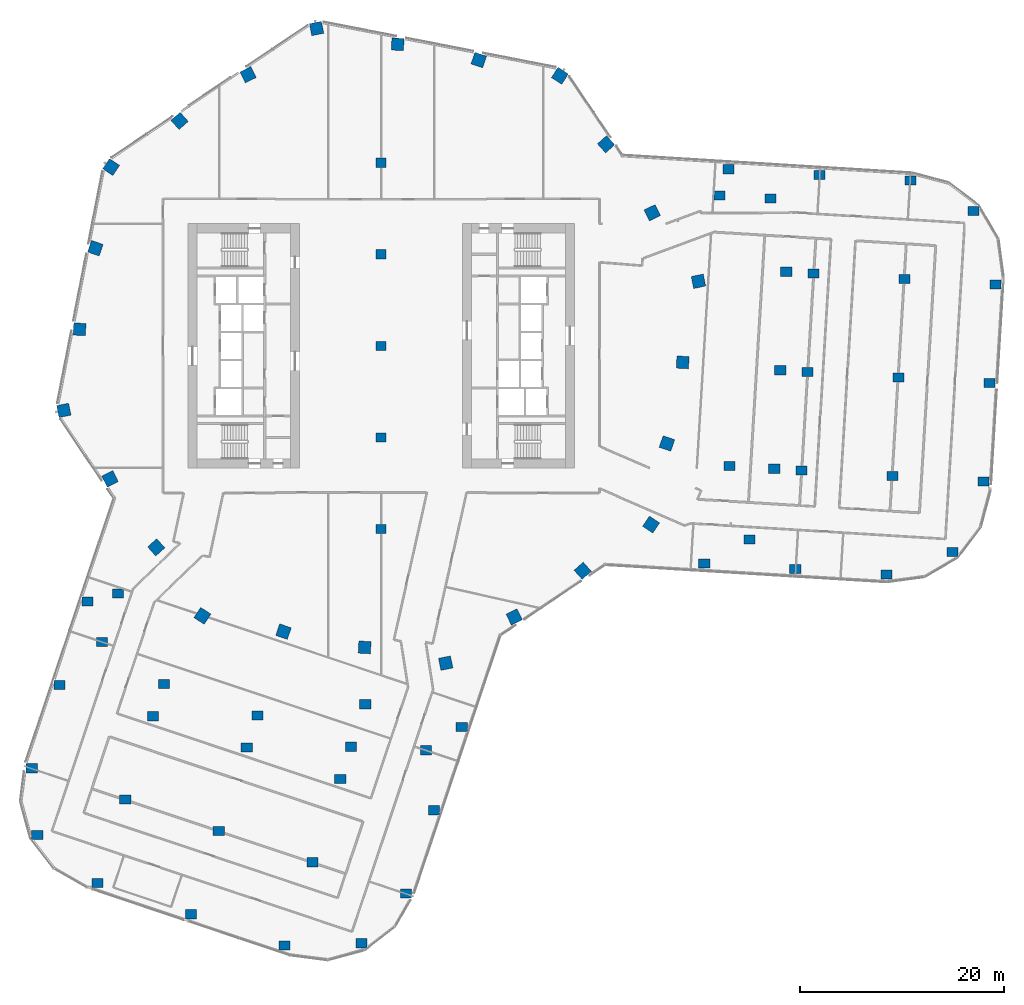
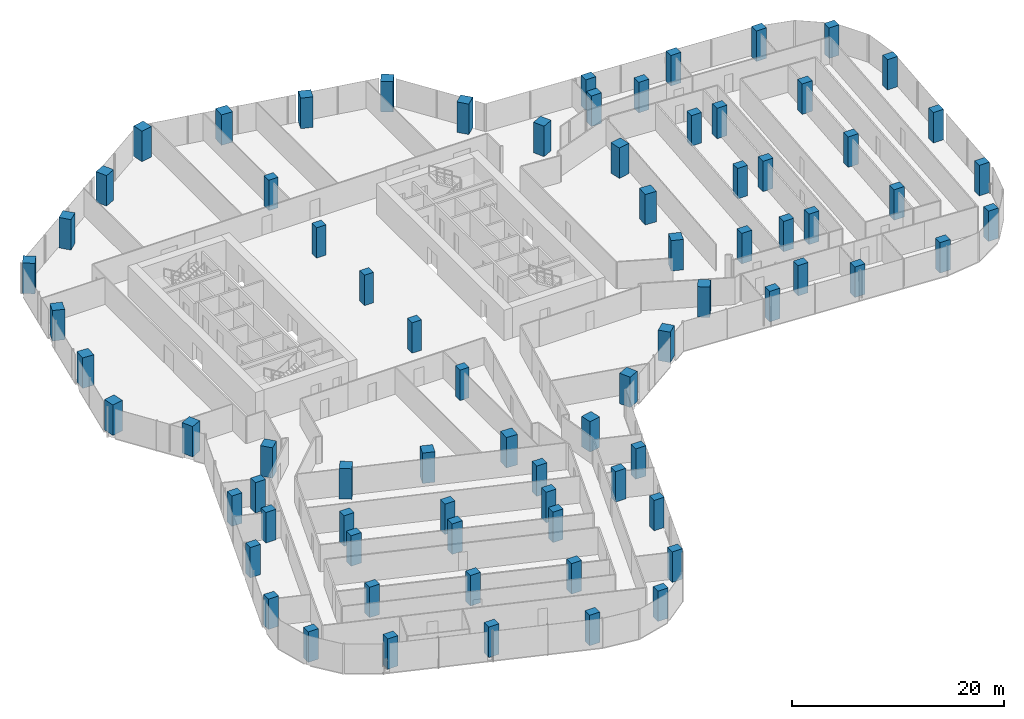
# One storey, part 1 of 32: 77 columns.
"""IFC4 building model written with IfcOpenShell, lengths in metres."""

from ifc_helpers import new_model, si_unit, direction, frame, origin, origin_2d, place, context, subcontext, project, spatial, rectangle, extrude, material, material_profile, profile_set, type_object, element, save


model = new_model("IFC4")

# Units and contexts
model_context = context("Model", 3, precision=1e-05, world=origin(), true_north=direction((0.0, 1.0)))
body_context = subcontext(model_context, "Body", "Model", "MODEL_VIEW")
ifc_project = project(units=[si_unit("LENGTHUNIT", "METRE"), si_unit("AREAUNIT", "SQUARE_METRE"), si_unit("VOLUMEUNIT", "CUBIC_METRE"), si_unit("PLANEANGLEUNIT", "RADIAN"), si_unit("MASSUNIT", "GRAM", prefix="KILO")], contexts=[model_context])

# Site, building, storey
site_placement = place(None, origin())
site = spatial("IfcSite", under=ifc_project, at=site_placement, CompositionType="ELEMENT")
building_placement = place(site_placement, origin())
building = spatial("IfcBuilding", under=site, at=building_placement, Name="Orlundy Tower", CompositionType="ELEMENT")
storey_placement = place(building_placement, frame((0.0, 0.0, 149.10009765625)))
storey = spatial("IfcBuildingStorey", under=building, at=storey_placement, Name="L38", CompositionType="ELEMENT", Elevation=149.10009765625)

# Columns
ifc_material_1 = material(Name="Concrete C70/85", Category="concrete")
ifc_material_profile_1 = material_profile(ifc_material_1, rectangle(XDim=1.0, YDim=0.89990234375, at=origin_2d()), Name="RC1000X900")
ifc_profile_set_1 = profile_set([ifc_material_profile_1], Name="Concrete C70/85")
column_type_1 = type_object("IfcColumnType", Name="RC COLUMN RC1000X900 C70/85", PredefinedType="COLUMN", material=ifc_profile_set_1)
for number, where, z_axis, x_axis, name in (
    (1, (0.0, -18.0, 0.0), (0.0, 0.0, 1.0), (1.0, 0.0, 0.0), "Column C-M1 L38"),
    (2, (0.0, -9.0, 0.0), (0.0, 0.0, 1.0), (1.0, 0.0, 0.0), "Column C-M2 L38"),
    (3, (0.0, 0.0, 0.0), (0.0, 0.0, 1.0), (1.0, 0.0, 0.0), "Column C-M3 L38"),
    (4, (0.0, 9.0, 0.0), (0.0, 0.0, 1.0), (1.0, 0.0, 0.0), "Column C-M4 L38"),
    (5, (0.0, 18.0, 0.0), (0.0, 0.0, 1.0), (1.0, 0.0, 0.0), "Column C-M5 L38"),
):
    element("IfcColumn", number, at=place(storey_placement, frame(where, z_axis=z_axis, x_axis=x_axis)), inside=storey, type_object=column_type_1, Name=name, PredefinedType="COLUMN", context=body_context, shape_type="SweptSolid", body=[
        extrude(rectangle(XDim=1.0, YDim=0.89990234375, at=origin_2d()), origin(), (0.0, 0.0, 1.0), 3.5),
    ])
ifc_material_2 = material(Name="Concrete C70/85", Category="concrete")
ifc_material_profile_2 = material_profile(ifc_material_2, rectangle(XDim=1.10009765625, YDim=0.89990234375, at=origin_2d()), Name="RC1100X900")
ifc_profile_set_2 = profile_set([ifc_material_profile_2], Name="Concrete C70/85")
column_type_2 = type_object("IfcColumnType", Name="RC COLUMN RC1100X900 C70/85", PredefinedType="COLUMN", material=ifc_profile_set_2)
for number, where, z_axis, x_axis, name in (
    (6, (31.75390625, -21.3779296875, 0.0), (0.0, 0.0, 1.0), (1.0, 0.0, 0.0), "Column C-A1-1 L38"),
    (7, (40.7041015625, -21.926025390625, 0.0), (0.0, 0.0, 1.0), (1.0, 0.0, 0.0), "Column C-A1-2 L38"),
    (8, (49.654052734375, -22.472900390625, 0.0), (0.0, 0.0, 1.0), (1.0, 0.0, 0.0), "Column C-A1-3 L38"),
    (9, (56.160888671875, -20.260009765625, 0.0), (0.0, 0.0, 1.0), (1.0, 0.0, 0.0), "Column C-A1-5 L38"),
    (10, (36.197998046875, -19.0390625, 0.0), (0.0, 0.0, 1.0), (1.0, 0.0, 0.0), "Column C-A1-6 L38"),
    (11, (41.2958984375, -12.243896484375, 0.0), (0.0, 0.0, 1.0), (1.0, 0.0, 0.0), "Column C-A2-2 L38"),
    (12, (50.24609375, -12.791015625, 0.0), (0.0, 0.0, 1.0), (1.0, 0.0, 0.0), "Column C-A2-3 L38"),
    (13, (59.196044921875, -13.339111328125, 0.0), (0.0, 0.0, 1.0), (1.0, 0.0, 0.0), "Column C-A2-5 L38"),
    (14, (38.635009765625, -12.0810546875, 0.0), (0.0, 0.0, 1.0), (1.0, 0.0, 0.0), "Column C-A2-6 L38"),
    (15, (34.242919921875, -11.81298828125, 0.0), (0.0, 0.0, 1.0), (1.0, 0.0, 0.0), "Column C-A2-7 L38"),
    (16, (41.887939453125, -2.56201171875, 0.0), (0.0, 0.0, 1.0), (1.0, 0.0, 0.0), "Column C-A3-2 L38"),
    (17, (50.837890625, -3.10888671875, 0.0), (0.0, 0.0, 1.0), (1.0, 0.0, 0.0), "Column C-A3-3 L38"),
    (18, (59.7880859375, -3.656982421875, 0.0), (0.0, 0.0, 1.0), (1.0, 0.0, 0.0), "Column C-A3-5 L38"),
    (19, (39.22705078125, -2.39892578125, 0.0), (0.0, 0.0, 1.0), (1.0, 0.0, 0.0), "Column C-A3-6 L38"),
    (20, (42.48095703125, 7.1201171875, 0.0), (0.0, 0.0, 1.0), (1.0, 0.0, 0.0), "Column C-A4-2 L38"),
    (21, (51.430908203125, 6.572998046875, 0.0), (0.0, 0.0, 1.0), (1.0, 0.0, 0.0), "Column C-A4-3 L38"),
    (22, (60.3798828125, 6.02490234375, 0.0), (0.0, 0.0, 1.0), (1.0, 0.0, 0.0), "Column C-A4-5 L38"),
    (23, (39.819091796875, 7.282958984375, 0.0), (0.0, 0.0, 1.0), (1.0, 0.0, 0.0), "Column C-A4-6 L38"),
    (24, (34.123046875, 17.34912109375, 0.0), (0.0, 0.0, 1.0), (1.0, 0.0, 0.0), "Column C-A5-1 L38"),
    (25, (43.072998046875, 16.802001953125, 0.0), (0.0, 0.0, 1.0), (1.0, 0.0, 0.0), "Column C-A5-2 L38"),
    (26, (52.02294921875, 16.25390625, 0.0), (0.0, 0.0, 1.0), (1.0, 0.0, 0.0), "Column C-A5-3 L38"),
    (27, (58.2119140625, 13.263916015625, 0.0), (0.0, 0.0, 1.0), (1.0, 0.0, 0.0), "Column C-A5-5 L38"),
    (28, (38.2490234375, 14.485107421875, 0.0), (0.0, 0.0, 1.0), (1.0, 0.0, 0.0), "Column C-A5-6 L38"),
    (29, (33.258056640625, 14.7900390625, 0.0), (0.0, 0.0, 1.0), (1.0, 0.0, 0.0), "Column C-A5-7 L38"),
    (30, (-28.868896484375, -25.138916015625, 0.0), (0.0, 0.0, 1.0), (1.0, 0.0, 0.0), "Column C-B1-1 L38"),
    (31, (-31.60791015625, -33.325927734375, 0.0), (0.0, 0.0, 1.0), (1.0, 0.0, 0.0), "Column C-B1-2 L38"),
    (32, (-34.343994140625, -41.514892578125, 0.0), (0.0, 0.0, 1.0), (1.0, 0.0, 0.0), "Column C-B1-3 L38"),
    (33, (-33.7880859375, -48.055908203125, 0.0), (0.0, 0.0, 1.0), (1.0, 0.0, 0.0), "Column C-B1-5 L38"),
    (34, (-27.44091796875, -29.089111328125, 0.0), (0.0, 0.0, 1.0), (1.0, 0.0, 0.0), "Column C-B1-6 L38"),
    (35, (-25.85498046875, -24.347900390625, 0.0), (0.0, 0.0, 1.0), (1.0, 0.0, 0.0), "Column C-B1-7 L38"),
    (36, (-22.408935546875, -36.404052734375, 0.0), (0.0, 0.0, 1.0), (1.0, 0.0, 0.0), "Column C-B2-2 L38"),
    (37, (-25.14892578125, -44.591064453125, 0.0), (0.0, 0.0, 1.0), (1.0, 0.0, 0.0), "Column C-B2-3 L38"),
    (38, (-27.887939453125, -52.778076171875, 0.0), (0.0, 0.0, 1.0), (1.0, 0.0, 0.0), "Column C-B2-5 L38"),
    (39, (-21.35205078125, -33.242919921875, 0.0), (0.0, 0.0, 1.0), (1.0, 0.0, 0.0), "Column C-B2-6 L38"),
    (40, (-13.2099609375, -39.48193359375, 0.0), (0.0, 0.0, 1.0), (1.0, 0.0, 0.0), "Column C-B3-2 L38"),
    (41, (-15.949951171875, -47.6689453125, 0.0), (0.0, 0.0, 1.0), (1.0, 0.0, 0.0), "Column C-B3-3 L38"),
    (42, (-18.68896484375, -55.85595703125, 0.0), (0.0, 0.0, 1.0), (1.0, 0.0, 0.0), "Column C-B3-5 L38"),
    (43, (-12.153076171875, -36.321044921875, 0.0), (0.0, 0.0, 1.0), (1.0, 0.0, 0.0), "Column C-B3-6 L38"),
    (44, (-4.011962890625, -42.56005859375, 0.0), (0.0, 0.0, 1.0), (1.0, 0.0, 0.0), "Column C-B4-2 L38"),
    (45, (-6.7509765625, -50.7470703125, 0.0), (0.0, 0.0, 1.0), (1.0, 0.0, 0.0), "Column C-B4-3 L38"),
    (46, (-9.490966796875, -58.93408203125, 0.0), (0.0, 0.0, 1.0), (1.0, 0.0, 0.0), "Column C-B4-5 L38"),
    (47, (-2.9541015625, -39.39892578125, 0.0), (0.0, 0.0, 1.0), (1.0, 0.0, 0.0), "Column C-B4-6 L38"),
    (48, (-1.55810546875, -35.22607421875, 0.0), (0.0, 0.0, 1.0), (1.0, 0.0, 0.0), "Column C-B4-7 L38"),
    (49, (7.926025390625, -37.449951171875, 0.0), (0.0, 0.0, 1.0), (1.0, 0.0, 0.0), "Column C-B5-1 L38"),
    (50, (5.18701171875, -45.637939453125, 0.0), (0.0, 0.0, 1.0), (1.0, 0.0, 0.0), "Column C-B5-2 L38"),
    (51, (2.444091796875, -53.822998046875, 0.0), (0.0, 0.0, 1.0), (1.0, 0.0, 0.0), "Column C-B5-3 L38"),
    (52, (-1.93701171875, -58.712890625, 0.0), (0.0, 0.0, 1.0), (1.0, 0.0, 0.0), "Column C-B5-5 L38"),
    (53, (4.408935546875, -39.74609375, 0.0), (0.0, 0.0, 1.0), (1.0, 0.0, 0.0), "Column C-B5-6 L38"),
):
    element("IfcColumn", number, at=place(storey_placement, frame(where, z_axis=z_axis, x_axis=x_axis)), inside=storey, type_object=column_type_2, Name=name, PredefinedType="COLUMN", context=body_context, shape_type="SweptSolid", body=[
        extrude(rectangle(XDim=1.10009765625, YDim=0.89990234375, at=origin_2d()), origin(), (0.0, 0.0, 1.0), 3.5),
    ])
ifc_material_3 = material(Name="Concrete C70/85", Category="concrete")
ifc_material_profile_3 = material_profile(ifc_material_3, rectangle(XDim=1.199951171875, YDim=1.199951171875, at=origin_2d()), Name="RC1200X1200")
ifc_profile_set_3 = profile_set([ifc_material_profile_3], Name="Concrete C70/85")
column_type_3 = type_object("IfcColumnType", Name="RC COLUMN RC1200X1200 C70/85", PredefinedType="COLUMN", material=ifc_profile_set_3)
for number, where, z_axis, x_axis, name in (
    (54, (17.56396484375, 26.535888671875, 0.0), (0.0, 0.0, 1.0), (0.551936985312, 0.833885822067, 0.0), "Column C-H01 L38"),
    (55, (22.10400390625, 19.805908203125, 0.0), (0.0, 0.0, 1.0), (0.744754305823, 0.667338762517, 0.0), "Column C-H02 L38"),
    (56, (26.64404296875, 13.074951171875, 0.0), (0.0, 0.0, 1.0), (0.897727910651, 0.440550335873, 0.0), "Column C-H03 L38"),
    (57, (31.18310546875, 6.343994140625, 0.0), (0.0, 0.0, 1.0), (0.979924704621, 0.199367934417, 0.0), "Column C-H04 L38"),
    (58, (29.634033203125, -1.625, 0.0), (0.0, 0.0, 1.0), (0.998499628726, -0.054758482756, 0.0), "Column C-H05 L38"),
    (59, (28.0849609375, -9.593994140625, 0.0), (0.0, 0.0, 1.0), (0.946311265272, -0.323256847134, 0.0), "Column C-H06 L38"),
    (60, (26.535888671875, -17.56396484375, 0.0), (0.0, 0.0, 1.0), (0.833885822067, -0.551936985312, 0.0), "Column C-H07 L38"),
    (61, (19.805908203125, -22.10400390625, 0.0), (0.0, 0.0, 1.0), (0.667338762517, -0.744754305823, 0.0), "Column C-H08 L38"),
    (62, (13.074951171875, -26.64404296875, 0.0), (0.0, 0.0, 1.0), (0.440550335873, -0.897727910651, 0.0), "Column C-H09 L38"),
    (63, (6.343994140625, -31.18310546875, 0.0), (0.0, 0.0, 1.0), (0.199367934417, -0.979924704621, 0.0), "Column C-H10 L38"),
    (64, (-1.625, -29.634033203125, 0.0), (0.0, 0.0, 1.0), (-0.054758482756, -0.998499628726, 0.0), "Column C-H11 L38"),
    (65, (-9.593994140625, -28.0849609375, 0.0), (0.0, 0.0, 1.0), (-0.323256847134, -0.946311265272, 0.0), "Column C-H12 L38"),
    (66, (-17.56396484375, -26.535888671875, 0.0), (0.0, 0.0, 1.0), (-0.551936985312, -0.833885822067, 0.0), "Column C-H13 L38"),
    (67, (-22.10400390625, -19.805908203125, 0.0), (0.0, 0.0, 1.0), (-0.744754305823, -0.667338762517, 0.0), "Column C-H14 L38"),
    (68, (-26.64404296875, -13.074951171875, 0.0), (0.0, 0.0, 1.0), (-0.897727910651, -0.440550335873, 0.0), "Column C-H15 L38"),
    (69, (-31.18310546875, -6.343994140625, 0.0), (0.0, 0.0, 1.0), (-0.979924704621, -0.199367934417, 0.0), "Column C-H16 L38"),
    (70, (-29.634033203125, 1.625, 0.0), (0.0, 0.0, 1.0), (-0.998499628726, 0.054758482756, 0.0), "Column C-H17 L38"),
    (71, (-28.0849609375, 9.593994140625, 0.0), (0.0, 0.0, 1.0), (-0.946311265272, 0.323256847134, 0.0), "Column C-H18 L38"),
    (72, (-26.535888671875, 17.56396484375, 0.0), (0.0, 0.0, 1.0), (-0.833885822067, 0.551936985312, 0.0), "Column C-H19 L38"),
    (73, (-19.805908203125, 22.10400390625, 0.0), (0.0, 0.0, 1.0), (-0.667338762517, 0.744754305823, 0.0), "Column C-H20 L38"),
    (74, (-13.074951171875, 26.64404296875, 0.0), (0.0, 0.0, 1.0), (-0.440550335873, 0.897727910651, 0.0), "Column C-H21 L38"),
    (75, (-6.343994140625, 31.18310546875, 0.0), (0.0, 0.0, 1.0), (-0.199367934417, 0.979924704621, 0.0), "Column C-H22 L38"),
    (76, (1.625, 29.634033203125, 0.0), (0.0, 0.0, 1.0), (0.054758482756, 0.998499628726, 0.0), "Column C-H23 L38"),
    (77, (9.593994140625, 28.0849609375, 0.0), (0.0, 0.0, 1.0), (0.323256847134, 0.946311265272, 0.0), "Column C-H24 L38"),
):
    element("IfcColumn", number, at=place(storey_placement, frame(where, z_axis=z_axis, x_axis=x_axis)), inside=storey, type_object=column_type_3, Name=name, PredefinedType="COLUMN", context=body_context, shape_type="SweptSolid", body=[
        extrude(rectangle(XDim=1.199951171875, YDim=1.199951171875, at=origin_2d()), origin(), (0.0, 0.0, 1.0), 3.5),
    ])

save(model, "model.ifc")
